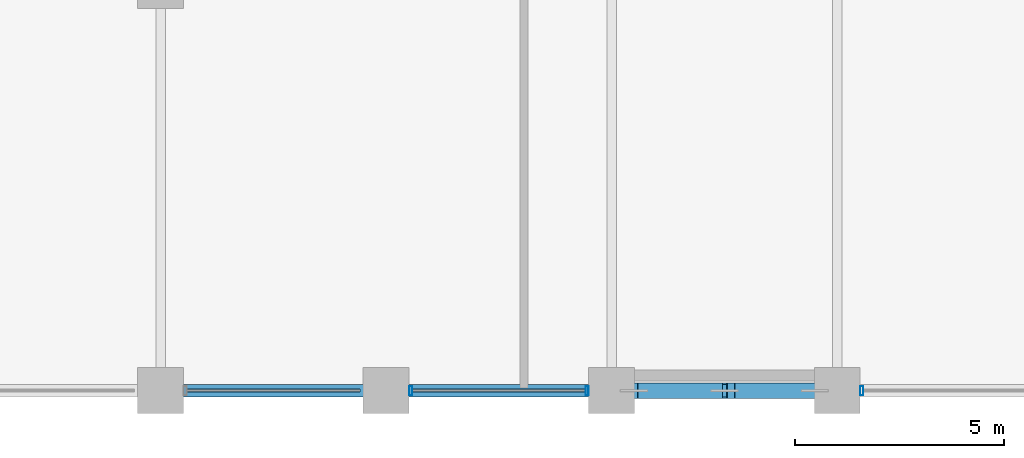
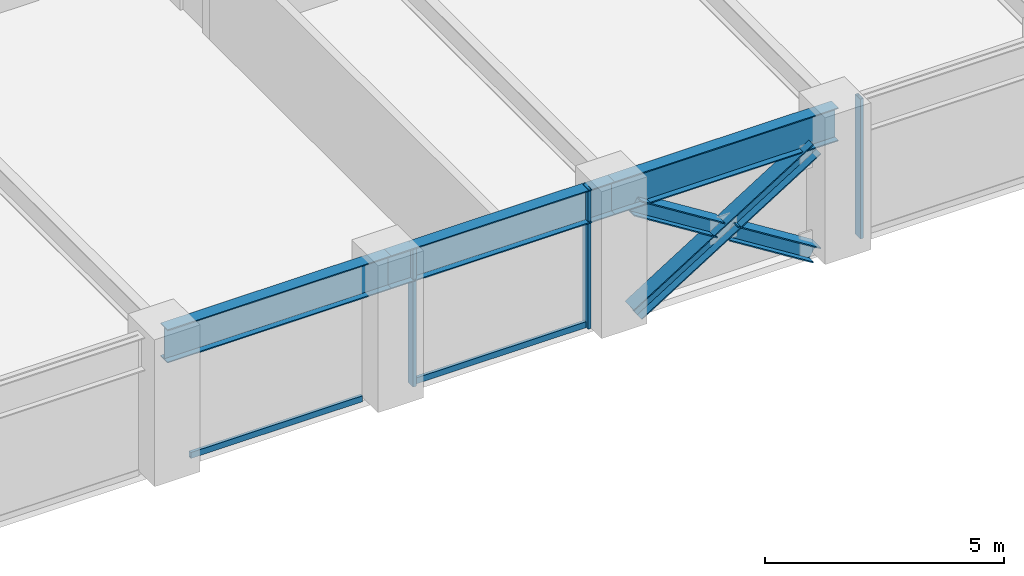
# One storey, part 3 of 25: 8 members, 3 beams, 2 elements without a shape of their own.
"""IFC4 building model written with IfcOpenShell, lengths in metres."""

from ifc_helpers import new_model, si_unit, direction, frame, origin, origin_2d, place, context, subcontext, project, spatial, hollow_rectangle, i_section, extrude, material, layer, layer_set, material_profile, profile_set, type_object, element, aggregate, save


model = new_model("IFC4")

# Units and contexts
model_context = context("Model", 3, precision=1e-05, world=origin(), true_north=direction((0.0, 1.0)))
body_context = subcontext(model_context, "Body", "Model", "MODEL_VIEW")
ifc_project = project(units=[si_unit("LENGTHUNIT", "METRE"), si_unit("AREAUNIT", "SQUARE_METRE"), si_unit("VOLUMEUNIT", "CUBIC_METRE"), si_unit("PLANEANGLEUNIT", "RADIAN"), si_unit("MASSUNIT", "GRAM", prefix="KILO")], contexts=[model_context])

# Site, building, storey
site_placement = place(None, origin())
site = spatial("IfcSite", under=ifc_project, at=site_placement, CompositionType="ELEMENT")
building_placement = place(site_placement, origin())
building = spatial("IfcBuilding", under=site, at=building_placement, Name="Surkhivell Harbour Commons", CompositionType="ELEMENT")
storey_placement = place(building_placement, frame((0.0, 0.0, 94.5)))
storey = spatial("IfcBuildingStorey", under=building, at=storey_placement, Name="L24", CompositionType="ELEMENT", Elevation=94.5)

# Beams
ifc_material_1 = material(Name="Steel S460", Category="steel")
ifc_material_profile_1 = material_profile(ifc_material_1, i_section(OverallWidth=0.2939453125, OverallDepth=0.85107421875, WebThickness=0.01611328125, FlangeThickness=0.02685546875, at=origin_2d()), Name="UB838x292x226")
ifc_profile_set_1 = profile_set([ifc_material_profile_1], Name="Steel S460")
beam_type = type_object("IfcBeamType", Name="BM-SPN-838", PredefinedType="SPANDREL", material=ifc_profile_set_1)
beam_1_placement = place(storey_placement, frame((-21.60009765625, -25.89990234375, 3.14453125), z_axis=(1.0, 0.0, 0.0), x_axis=(0.0, 1.0, 0.0)))
element("IfcBeam", 1, at=beam_1_placement, inside=storey, type_object=beam_type, Name="L24 Tube Spandrel (-21.6,-25.9)", PredefinedType="SPANDREL", context=body_context, shape_type="SweptSolid", body=[
    extrude(i_section(OverallWidth=0.2939453125, OverallDepth=0.85107421875, WebThickness=0.01611328125, FlangeThickness=0.02685546875, at=origin_2d()), origin(), (0.0, 0.0, 1.0), 5.400146484375),
])
beam_2_placement = place(storey_placement, frame((-16.199951171875, -25.89990234375, 3.14453125), z_axis=(1.0, 0.0, 0.0), x_axis=(0.0, 1.0, 0.0)))
element("IfcBeam", 2, at=beam_2_placement, inside=storey, type_object=beam_type, Name="L24 Tube Spandrel (-16.2,-25.9)", PredefinedType="SPANDREL", context=body_context, shape_type="SweptSolid", body=[
    extrude(i_section(OverallWidth=0.2939453125, OverallDepth=0.85107421875, WebThickness=0.01611328125, FlangeThickness=0.02685546875, at=origin_2d()), origin(), (0.0, 0.0, 1.0), 5.39990234375),
])
beam_3_placement = place(storey_placement, frame((-10.800048828125, -25.89990234375, 3.14453125), z_axis=(1.0, 0.0, 0.0), x_axis=(0.0, 1.0, 0.0)))
element("IfcBeam", 3, at=beam_3_placement, inside=storey, type_object=beam_type, Name="L24 Tube Spandrel (-10.8,-25.9)", PredefinedType="SPANDREL", context=body_context, shape_type="SweptSolid", body=[
    extrude(i_section(OverallWidth=0.2939453125, OverallDepth=0.85107421875, WebThickness=0.01611328125, FlangeThickness=0.02685546875, at=origin_2d()), origin(), (0.0, 0.0, 1.0), 5.400146484375),
])

# Curtain wall, members
ifc_material_2 = material(Name="Anodised pale-metal aluminium and insulated glazing", Category="aluminium")
ifc_layer = layer(ifc_material_2, 0.205078125)
ifc_layer_set = layer_set([ifc_layer], Name="Anodised pale-metal aluminium and insulated glazing")
curtain_wall_type = type_object("IfcCurtainWallType", Name="CW-SYS-Z2", PredefinedType="NOTDEFINED", material=ifc_layer_set)
curtain_wall_1_placement = place(storey_placement, origin())
curtain_wall_1 = element("IfcCurtainWall", 4, at=curtain_wall_1_placement, inside=storey, type_object=curtain_wall_type, Name="L24 Curtain Wall CW-L24-E00S1", PredefinedType="NOTDEFINED")
ifc_material_3 = material(Name="Anodised pale-metal aluminium alloy 6063-T6", Category="aluminium")
ifc_material_profile_2 = material_profile(ifc_material_3, hollow_rectangle(XDim=0.074951171875, YDim=0.219970703125, WallThickness=0.00390625, at=origin_2d()), Name="ALU-MULL-75x220")
ifc_profile_set_2 = profile_set([ifc_material_profile_2], Name="Anodised pale-metal aluminium alloy 6063-T6")
member_type_1 = type_object("IfcMemberType", Name="CWM-220", PredefinedType="MULLION", material=ifc_profile_set_2)
member_1_placement = place(storey_placement, frame((-15.610595703125, -25.89990234375, 0.0), z_axis=(0.0, 0.0, 1.0), x_axis=(1.0, 0.0, 0.0)))
member_1 = element("IfcMember", 5, at=member_1_placement, type_object=member_type_1, Name="CW-Z2 mullion 3", PredefinedType="MULLION", context=body_context, shape_type="SweptSolid", body=[
    extrude(hollow_rectangle(XDim=0.074951171875, YDim=0.219970703125, WallThickness=0.00390625, at=origin_2d()), origin(), (0.0, 0.0, 1.0), 3.570068359375),
])
member_2_placement = place(storey_placement, frame((-11.389404296875, -25.89990234375, 0.0), z_axis=(0.0, 0.0, 1.0), x_axis=(1.0, 0.0, 0.0)))
member_2 = element("IfcMember", 6, at=member_2_placement, type_object=member_type_1, Name="CW-Z2 mullion 4", PredefinedType="MULLION", context=body_context, shape_type="SweptSolid", body=[
    extrude(hollow_rectangle(XDim=0.074951171875, YDim=0.219970703125, WallThickness=0.00390625, at=origin_2d()), origin(), (0.0, 0.0, 1.0), 3.570068359375),
])

# Curtain wall, member
curtain_wall_2_placement = place(storey_placement, origin())
curtain_wall_2 = element("IfcCurtainWall", 7, at=curtain_wall_2_placement, inside=storey, type_object=curtain_wall_type, Name="L24 Curtain Wall CW-L24-E00S2", PredefinedType="NOTDEFINED")
member_3_placement = place(storey_placement, frame((-4.810546875, -25.89990234375, 0.0), z_axis=(0.0, 0.0, 1.0), x_axis=(1.0, 0.0, 0.0)))
member_3 = element("IfcMember", 8, at=member_3_placement, type_object=member_type_1, Name="CW-Z2 mullion 1", PredefinedType="MULLION", context=body_context, shape_type="SweptSolid", body=[
    extrude(hollow_rectangle(XDim=0.074951171875, YDim=0.219970703125, WallThickness=0.00390625, at=origin_2d()), origin(), (0.0, 0.0, 1.0), 3.570068359375),
])
aggregate(curtain_wall_2, [member_3])

# Member
ifc_material_profile_3 = material_profile(ifc_material_3, hollow_rectangle(XDim=0.074951171875, YDim=0.14990234375, WallThickness=0.00341796875, at=origin_2d()), Name="ALU-TRAN-75x150")
ifc_profile_set_3 = profile_set([ifc_material_profile_3], Name="Anodised pale-metal aluminium alloy 6063-T6")
member_type_2 = type_object("IfcMemberType", Name="CWT-150", PredefinedType="USERDEFINED", material=ifc_profile_set_3)
member_4_placement = place(storey_placement, frame((-20.972900390625, -25.89990234375, 0.074951171875), z_axis=(1.0, 0.0, 0.0), x_axis=(0.0, 1.0, 0.0)))
member_4 = element("IfcMember", 9, at=member_4_placement, type_object=member_type_2, Name="CW-Z2 transom 2.1", ObjectType="TRANSOM", PredefinedType="USERDEFINED", context=body_context, shape_type="SweptSolid", body=[
    extrude(hollow_rectangle(XDim=0.074951171875, YDim=0.14990234375, WallThickness=0.00341796875, at=origin_2d()), origin(), (0.0, 0.0, 1.0), 4.14599609375),
])

member_5_placement = place(storey_placement, frame((-15.572998046875, -25.89990234375, 0.074951171875), z_axis=(1.0, 0.0, 0.0), x_axis=(0.0, 1.0, 0.0)))
member_5 = element("IfcMember", 10, at=member_5_placement, type_object=member_type_2, Name="CW-Z2 transom 3.1", ObjectType="TRANSOM", PredefinedType="USERDEFINED", context=body_context, shape_type="SweptSolid", body=[
    extrude(hollow_rectangle(XDim=0.074951171875, YDim=0.14990234375, WallThickness=0.00341796875, at=origin_2d()), origin(), (0.0, 0.0, 1.0), 4.14599609375),
])

aggregate(curtain_wall_1, [member_4, member_1, member_2, member_5])

# Members
ifc_material_profile_4 = material_profile(ifc_material_1, i_section(OverallWidth=0.375, OverallDepth=0.375, WebThickness=0.0166015625, FlangeThickness=0.027099609375, at=origin_2d()), Name="UC356x368x202")
ifc_profile_set_4 = profile_set([ifc_material_profile_4], Name="Steel S460")
member_type_3 = type_object("IfcMemberType", Name="MEM-BRC-UC356", PredefinedType="BRACE", material=ifc_profile_set_4)
member_6_placement = place(storey_placement, frame((-10.264892578125, -25.89990234375, 0.008056640625), z_axis=(0.847232535652, 0.0, 0.53122220448), x_axis=(0.0, 1.0, 0.0)))
element("IfcMember", 11, at=member_6_placement, inside=storey, type_object=member_type_3, Name="L24 Perimeter Mega-Brace MB- 07", PredefinedType="BRACE", context=body_context, shape_type="SweptSolid", body=[
    extrude(i_section(OverallWidth=0.375, OverallDepth=0.375, WebThickness=0.0166015625, FlangeThickness=0.027099609375, at=origin_2d()), origin(), (0.0, 0.0, 1.0), 5.110595703125),
])
member_7_placement = place(storey_placement, frame((-5.93505859375, -25.89990234375, 0.008056640625), z_axis=(-0.847206308526, 0.0, 0.53126403115), x_axis=(0.0, -1.0, 0.0)))
element("IfcMember", 12, at=member_7_placement, inside=storey, type_object=member_type_3, Name="L24 Perimeter Mega-Brace MB- 08", PredefinedType="BRACE", context=body_context, shape_type="SweptSolid", body=[
    extrude(i_section(OverallWidth=0.375, OverallDepth=0.375, WebThickness=0.0166015625, FlangeThickness=0.027099609375, at=origin_2d()), origin(), (0.0, 0.0, 1.0), 2.37548828125),
])
member_8_placement = place(storey_placement, frame((-8.25244140625, -25.89990234375, 1.461181640625), z_axis=(-0.84725256761, 0.0, 0.53119025469), x_axis=(0.0, -1.0, 0.0)))
element("IfcMember", 13, at=member_8_placement, inside=storey, type_object=member_type_3, Name="L24 Perimeter Mega-Brace MB- 09", PredefinedType="BRACE", context=body_context, shape_type="SweptSolid", body=[
    extrude(i_section(OverallWidth=0.375, OverallDepth=0.375, WebThickness=0.0166015625, FlangeThickness=0.027099609375, at=origin_2d()), origin(), (0.0, 0.0, 1.0), 2.375244140625),
])

save(model, "model.ifc")
